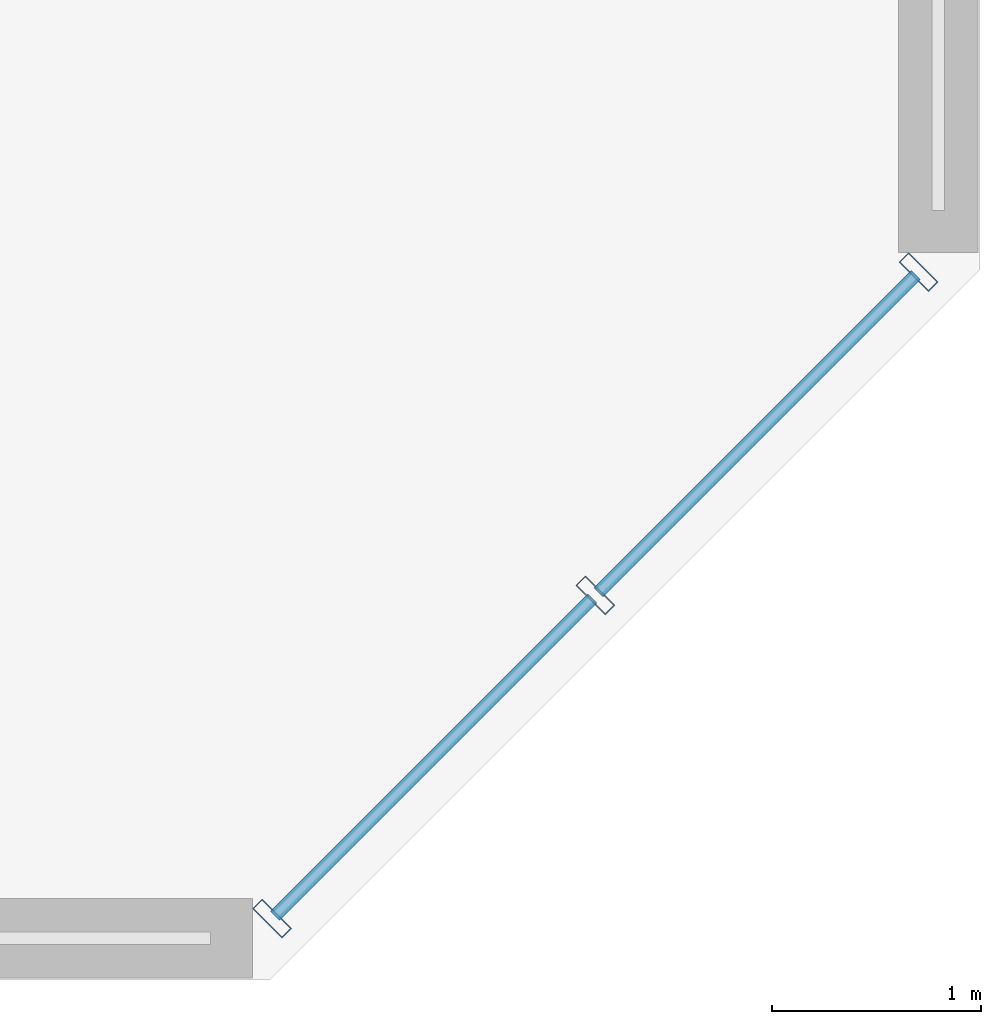
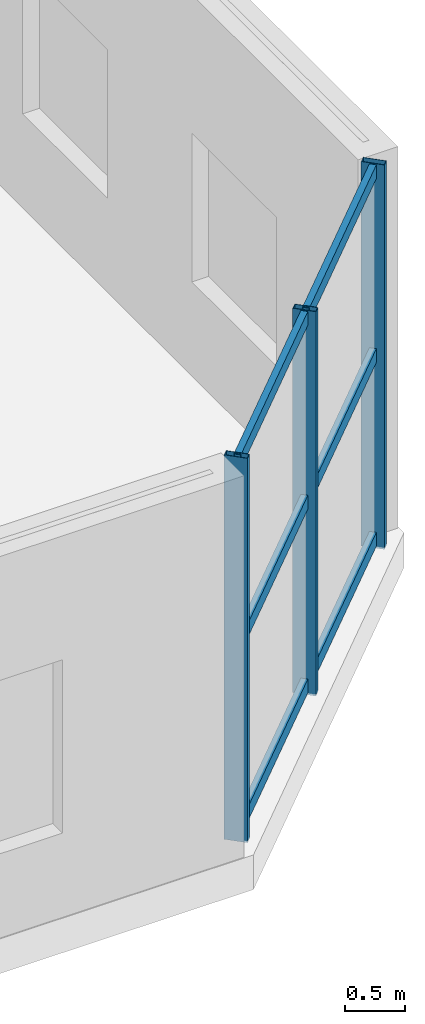
# One storey, part 6 of 22: 9 members, 1 element without a shape of its own.
"""IFC4 building model written with IfcOpenShell, lengths in metres."""

from ifc_helpers import new_model, si_unit, direction, frame, origin, origin_2d, place, context, subcontext, project, spatial, hollow_rectangle, extrude, source, transform, mapped, material, material_profile, profile_set, type_object, element, aggregate, save


model = new_model("IFC4")

# Units and contexts
model_context = context("Model", 3, precision=1e-05, world=origin(), true_north=direction((0.0, 1.0)))
body_context = subcontext(model_context, "Body", "Model", "MODEL_VIEW")
ifc_project = project(units=[si_unit("LENGTHUNIT", "METRE"), si_unit("AREAUNIT", "SQUARE_METRE"), si_unit("VOLUMEUNIT", "CUBIC_METRE"), si_unit("PLANEANGLEUNIT", "RADIAN"), si_unit("MASSUNIT", "GRAM", prefix="KILO")], contexts=[model_context])

# Site, building, storey
site_placement = place(None, origin())
site = spatial("IfcSite", under=ifc_project, at=site_placement, CompositionType="ELEMENT")
building_placement = place(site_placement, origin())
building = spatial("IfcBuilding", under=site, at=building_placement, Name="Tlacorven Tower", CompositionType="ELEMENT")
storey_placement = place(building_placement, frame((0.0, 0.0, 10.199951171875)))
storey = spatial("IfcBuildingStorey", under=building, at=storey_placement, Name="L02", CompositionType="ELEMENT", Elevation=10.199951171875)

# Curtain wall, members
ifc_material_1 = material(Name="Dark solar low-E double glazing in aluminium frame", Category="aluminium")
curtain_wall_type = type_object("IfcCurtainWallType", Name="CW-POD-CLINIC", PredefinedType="USERDEFINED", material=ifc_material_1)
curtain_wall_placement = place(storey_placement, origin())
curtain_wall = element("IfcCurtainWall", 1, at=curtain_wall_placement, inside=storey, type_object=curtain_wall_type, Name="L02 Podium Chamfer Curtain Wall 7", ObjectType="UNITISED CURTAIN WALL", PredefinedType="USERDEFINED")
ifc_material_2 = material(Name="Aluminium 6063-T6 anodised", Category="aluminium")
ifc_material_profile_1 = material_profile(ifc_material_2, hollow_rectangle(XDim=0.06494140625, YDim=0.199951171875, WallThickness=0.00439453125, at=origin_2d()), Name="ALU MULLION 65X200")
ifc_profile_set_1 = profile_set([ifc_material_profile_1], Name="Aluminium 6063-T6 anodised")
member_type_1 = type_object("IfcMemberType", Name="CWM-02", PredefinedType="MULLION", material=ifc_profile_set_1)
shared_shape_1 = source(origin(), body_context, "Body", "SweptSolid", [
    extrude(hollow_rectangle(XDim=0.06494140625, YDim=0.199951171875, WallThickness=0.00439453125, at=origin_2d()), origin(), (0.0, 0.0, 1.0), 3.880126953125),
])
member_1_placement = place(storey_placement, frame((70.306396484375, 4.7890625, -0.02001953125), z_axis=(0.0, 0.0, 1.0), x_axis=(-0.707106781187, -0.707106781187, 0.0)))
member_1 = element("IfcMember", 2, at=member_1_placement, type_object=member_type_1, Name="CW-L02-012 Mullion 1", PredefinedType="MULLION", context=body_context, shape_type="MappedRepresentation", body=[
    mapped(shared_shape_1, transform((0.0, 0.0, 0.0), scale=1.0)),
])
member_2_placement = place(storey_placement, frame((68.758544921875, 3.241455078125, -0.02001953125), z_axis=(0.0, 0.0, 1.0), x_axis=(-0.707106781187, -0.707106781187, 0.0)))
member_2 = element("IfcMember", 3, at=member_2_placement, type_object=member_type_1, Name="CW-L02-012 Mullion 2", PredefinedType="MULLION", context=body_context, shape_type="MappedRepresentation", body=[
    mapped(shared_shape_1, transform((0.0, 0.0, 0.0), scale=1.0)),
])
member_3_placement = place(storey_placement, frame((67.2109375, 1.693603515625, -0.02001953125), z_axis=(0.0, 0.0, 1.0), x_axis=(-0.707106781187, -0.707106781187, 0.0)))
member_3 = element("IfcMember", 4, at=member_3_placement, type_object=member_type_1, Name="CW-L02-012 Mullion 3", PredefinedType="MULLION", context=body_context, shape_type="MappedRepresentation", body=[
    mapped(shared_shape_1, transform((0.0, 0.0, 0.0), scale=1.0)),
])
ifc_material_profile_2 = material_profile(ifc_material_2, hollow_rectangle(XDim=0.06005859375, YDim=0.139892578125, WallThickness=0.00390625, at=origin_2d()), Name="ALU TRANSOM 60X140")
ifc_profile_set_2 = profile_set([ifc_material_profile_2], Name="Aluminium 6063-T6 anodised")
member_type_2 = type_object("IfcMemberType", Name="CWT-02", PredefinedType="USERDEFINED", material=ifc_profile_set_2)
shared_shape_2 = source(origin(), body_context, "Body", "SweptSolid", [
    extrude(hollow_rectangle(XDim=0.06005859375, YDim=0.139892578125, WallThickness=0.00390625, at=origin_2d()), origin(), (0.0, 0.0, 1.0), 2.14794921875),
])
member_4_placement = place(storey_placement, frame((70.291748046875, 4.774658203125, 0.070068359375), z_axis=(-0.707106781187, -0.707106781187, 0.0), x_axis=(0.707106781187, -0.707106781187, 0.0)))
member_4 = element("IfcMember", 5, at=member_4_placement, type_object=member_type_2, Name="CW-L02-012 Transom 1", ObjectType="TRANSOM", PredefinedType="USERDEFINED", context=body_context, shape_type="MappedRepresentation", body=[
    mapped(shared_shape_2, transform((0.0, 0.0, 0.0), scale=1.0)),
])
member_5_placement = place(storey_placement, frame((70.291748046875, 4.774658203125, 1.925048828125), z_axis=(-0.707106781187, -0.707106781187, 0.0), x_axis=(0.707106781187, -0.707106781187, 0.0)))
member_5 = element("IfcMember", 6, at=member_5_placement, type_object=member_type_2, Name="CW-L02-012 Transom 2", ObjectType="TRANSOM", PredefinedType="USERDEFINED", context=body_context, shape_type="MappedRepresentation", body=[
    mapped(shared_shape_2, transform((0.0, 0.0, 0.0), scale=1.0)),
])
member_6_placement = place(storey_placement, frame((70.291748046875, 4.774658203125, 3.780029296875), z_axis=(-0.707106781187, -0.707106781187, 0.0), x_axis=(0.707106781187, -0.707106781187, 0.0)))
member_6 = element("IfcMember", 7, at=member_6_placement, type_object=member_type_2, Name="CW-L02-012 Transom 3", ObjectType="TRANSOM", PredefinedType="USERDEFINED", context=body_context, shape_type="MappedRepresentation", body=[
    mapped(shared_shape_2, transform((0.0, 0.0, 0.0), scale=1.0)),
])
member_7_placement = place(storey_placement, frame((68.744140625, 3.22705078125, 0.070068359375), z_axis=(-0.707106781187, -0.707106781187, 0.0), x_axis=(0.707106781187, -0.707106781187, 0.0)))
member_7 = element("IfcMember", 8, at=member_7_placement, type_object=member_type_2, Name="CW-L02-012 Transom 4", ObjectType="TRANSOM", PredefinedType="USERDEFINED", context=body_context, shape_type="MappedRepresentation", body=[
    mapped(shared_shape_2, transform((0.0, 0.0, 0.0), scale=1.0)),
])
member_8_placement = place(storey_placement, frame((68.744140625, 3.22705078125, 1.925048828125), z_axis=(-0.707106781187, -0.707106781187, 0.0), x_axis=(0.707106781187, -0.707106781187, 0.0)))
member_8 = element("IfcMember", 9, at=member_8_placement, type_object=member_type_2, Name="CW-L02-012 Transom 5", ObjectType="TRANSOM", PredefinedType="USERDEFINED", context=body_context, shape_type="MappedRepresentation", body=[
    mapped(shared_shape_2, transform((0.0, 0.0, 0.0), scale=1.0)),
])
member_9_placement = place(storey_placement, frame((68.744140625, 3.22705078125, 3.780029296875), z_axis=(-0.707106781187, -0.707106781187, 0.0), x_axis=(0.707106781187, -0.707106781187, 0.0)))
member_9 = element("IfcMember", 10, at=member_9_placement, type_object=member_type_2, Name="CW-L02-012 Transom 6", ObjectType="TRANSOM", PredefinedType="USERDEFINED", context=body_context, shape_type="MappedRepresentation", body=[
    mapped(shared_shape_2, transform((0.0, 0.0, 0.0), scale=1.0)),
])
aggregate(curtain_wall, [member_1, member_2, member_3, member_4, member_5, member_6, member_7, member_8, member_9])

save(model, "model.ifc")
